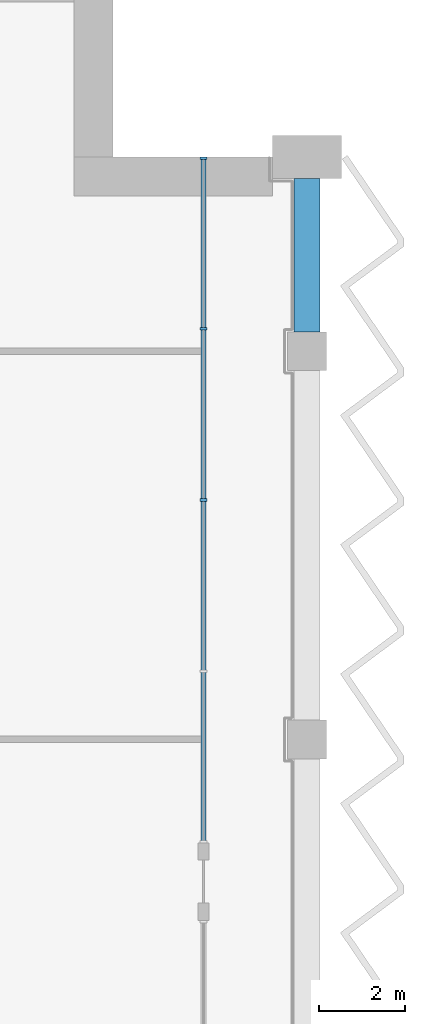
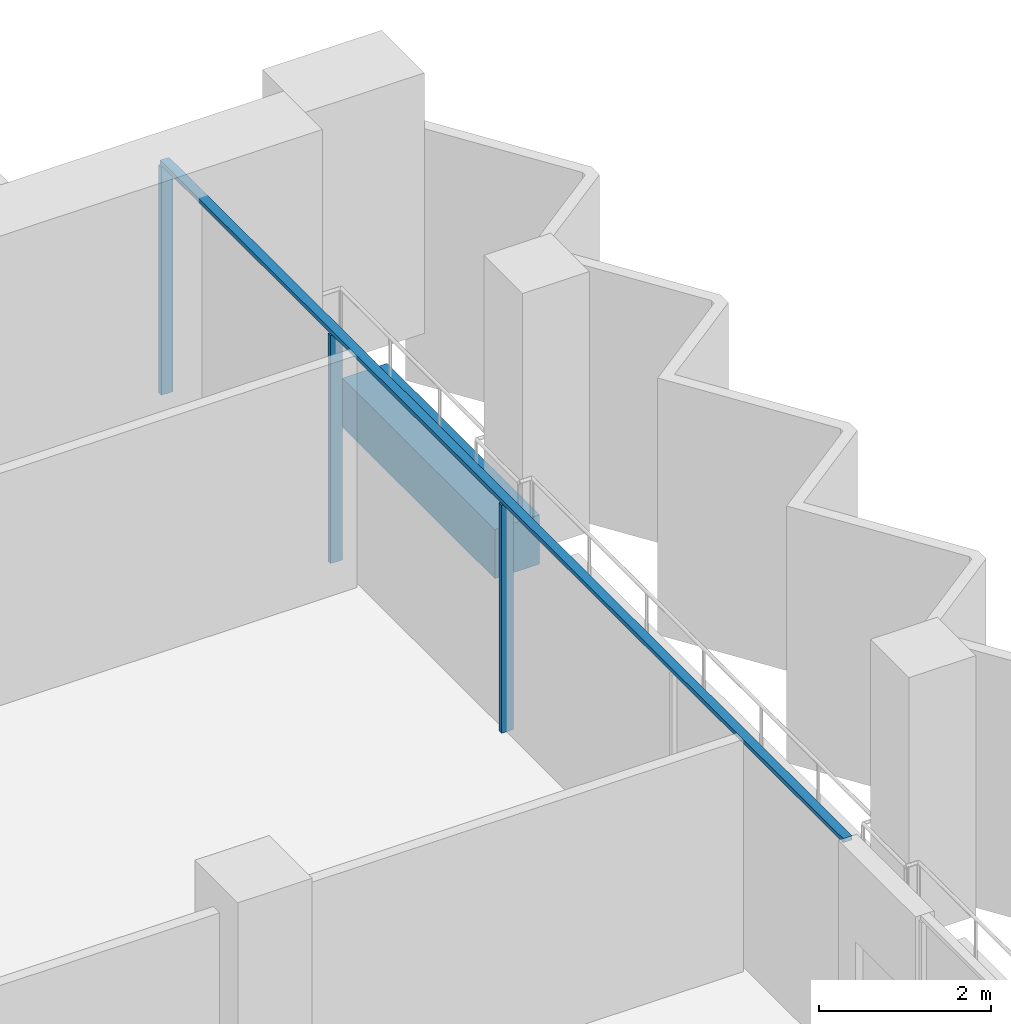
# One storey, part 6 of 17: 4 members, 1 beam, 1 element without a shape of its own.
"""IFC4 building model written with IfcOpenShell, lengths in metres."""

from ifc_helpers import new_model, si_unit, direction, frame, origin, origin_2d, place, context, subcontext, project, spatial, rectangle, extrude, material, material_profile, profile_set, type_object, element, aggregate, save


model = new_model("IFC4")

# Units and contexts
model_context = context("Model", 3, precision=1e-05, world=origin(), true_north=direction((0.0, 1.0)))
body_context = subcontext(model_context, "Body", "Model", "MODEL_VIEW")
ifc_project = project(units=[si_unit("LENGTHUNIT", "METRE"), si_unit("AREAUNIT", "SQUARE_METRE"), si_unit("VOLUMEUNIT", "CUBIC_METRE"), si_unit("PLANEANGLEUNIT", "RADIAN"), si_unit("MASSUNIT", "GRAM", prefix="KILO")], contexts=[model_context])

# Site, building, storey
site_placement = place(None, origin())
site = spatial("IfcSite", under=ifc_project, at=site_placement, CompositionType="ELEMENT")
building_placement = place(site_placement, origin())
building = spatial("IfcBuilding", under=site, at=building_placement, Name="Hunhe Ridgeline Campus", CompositionType="ELEMENT")
storey_placement = place(building_placement, frame((0.0, 0.0, 265.10009765625)))
storey = spatial("IfcBuildingStorey", under=building, at=storey_placement, Name="L68", CompositionType="ELEMENT", Elevation=265.10009765625)

# Curtain wall, members
ifc_material_1 = material(Name="Aluminium 6063", Category="aluminium")
curtain_wall_type = type_object("IfcCurtainWallType", Name="Curtain wall CW-1", PredefinedType="NOTDEFINED", material=ifc_material_1)
curtain_wall_placement = place(storey_placement, origin())
curtain_wall = element("IfcCurtainWall", 1, at=curtain_wall_placement, inside=storey, type_object=curtain_wall_type, Name="Curtain wall 13", PredefinedType="NOTDEFINED")
ifc_material_profile_1 = material_profile(ifc_material_1, rectangle(XDim=0.159912109375, YDim=0.06005859375, at=origin_2d()))
ifc_profile_set_1 = profile_set([ifc_material_profile_1], Name="Aluminium 6063")
member_type_1 = type_object("IfcMemberType", Name="CW-1 aluminium mullion", PredefinedType="MULLION", material=ifc_profile_set_1)
member_1_placement = place(storey_placement, frame((51.59912109375, 86.55029296875, 0.0), z_axis=(0.0, 0.0, 1.0), x_axis=(-1.0, 0.0, 0.0)))
member_1 = element("IfcMember", 2, at=member_1_placement, type_object=member_type_1, Name="CW-1 mullion 3", PredefinedType="MULLION", context=body_context, shape_type="SweptSolid", body=[
    extrude(rectangle(XDim=0.159912109375, YDim=0.06005859375, at=origin_2d()), origin(), (0.0, 0.0, 1.0), 3.239990234375),
])
member_2_placement = place(storey_placement, frame((51.59912109375, 90.525146484375, 0.0), z_axis=(0.0, 0.0, 1.0), x_axis=(-1.0, 0.0, 0.0)))
member_2 = element("IfcMember", 3, at=member_2_placement, type_object=member_type_1, Name="CW-1 mullion 4", PredefinedType="MULLION", context=body_context, shape_type="SweptSolid", body=[
    extrude(rectangle(XDim=0.159912109375, YDim=0.06005859375, at=origin_2d()), origin(), (0.0, 0.0, 1.0), 3.239990234375),
])
member_3_placement = place(storey_placement, frame((51.59912109375, 94.469970703125, 0.0), z_axis=(0.0, 0.0, 1.0), x_axis=(-1.0, 0.0, 0.0)))
member_3 = element("IfcMember", 4, at=member_3_placement, type_object=member_type_1, Name="CW-1 mullion 5", PredefinedType="MULLION", context=body_context, shape_type="SweptSolid", body=[
    extrude(rectangle(XDim=0.159912109375, YDim=0.06005859375, at=origin_2d()), origin(), (0.0, 0.0, 1.0), 3.239990234375),
])
ifc_material_profile_2 = material_profile(ifc_material_1, rectangle(XDim=0.1201171875, YDim=0.06005859375, at=origin_2d()))
ifc_profile_set_2 = profile_set([ifc_material_profile_2], Name="Aluminium 6063")
member_type_2 = type_object("IfcMemberType", Name="CW-1 aluminium transom", PredefinedType="USERDEFINED", material=ifc_profile_set_2)
member_4_placement = place(storey_placement, frame((51.59912109375, 78.6005859375, 3.27001953125), z_axis=(0.0, 1.0, 0.0), x_axis=(-1.0, 0.0, 0.0)))
member_4 = element("IfcMember", 5, at=member_4_placement, type_object=member_type_2, Name="CW-1 transom 1", ObjectType="TRANSOM", PredefinedType="USERDEFINED", context=body_context, shape_type="SweptSolid", body=[
    extrude(rectangle(XDim=0.1201171875, YDim=0.06005859375, at=origin_2d()), origin(), (0.0, 0.0, 1.0), 15.8994140625),
])
aggregate(curtain_wall, [member_4, member_1, member_2, member_3])

# Beam
ifc_material_2 = material(Name="Concrete C50", Category="concrete")
ifc_material_profile_3 = material_profile(ifc_material_2, rectangle(XDim=0.60009765625, YDim=0.699951171875, at=origin_2d()))
ifc_profile_set_3 = profile_set([ifc_material_profile_3], Name="Concrete C50")
beam_type = type_object("IfcBeamType", Name="RC spandrel beam 600x700 Concrete C50", PredefinedType="SPANDREL", material=ifc_profile_set_3)
beam_placement = place(storey_placement, frame((54.0, 90.449951171875, -0.60009765625), z_axis=(0.0, 1.0, 0.0), x_axis=(-1.0, 0.0, 0.0)))
element("IfcBeam", 6, at=beam_placement, inside=storey, type_object=beam_type, Name="Spandrel beam B4-17 L68", PredefinedType="SPANDREL", context=body_context, shape_type="SweptSolid", body=[
    extrude(rectangle(XDim=0.60009765625, YDim=0.699951171875, at=origin_2d()), origin(), (0.0, 0.0, 1.0), 3.550048828125),
])

save(model, "model.ifc")
